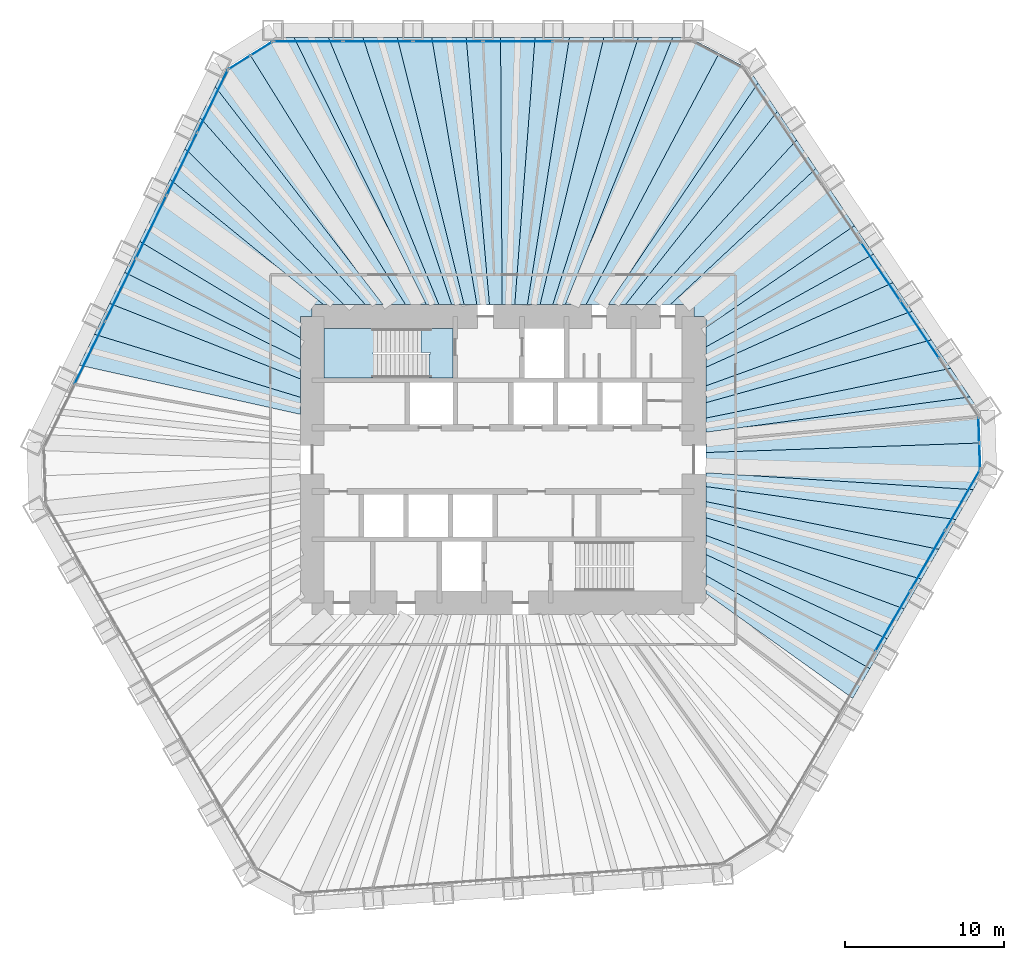
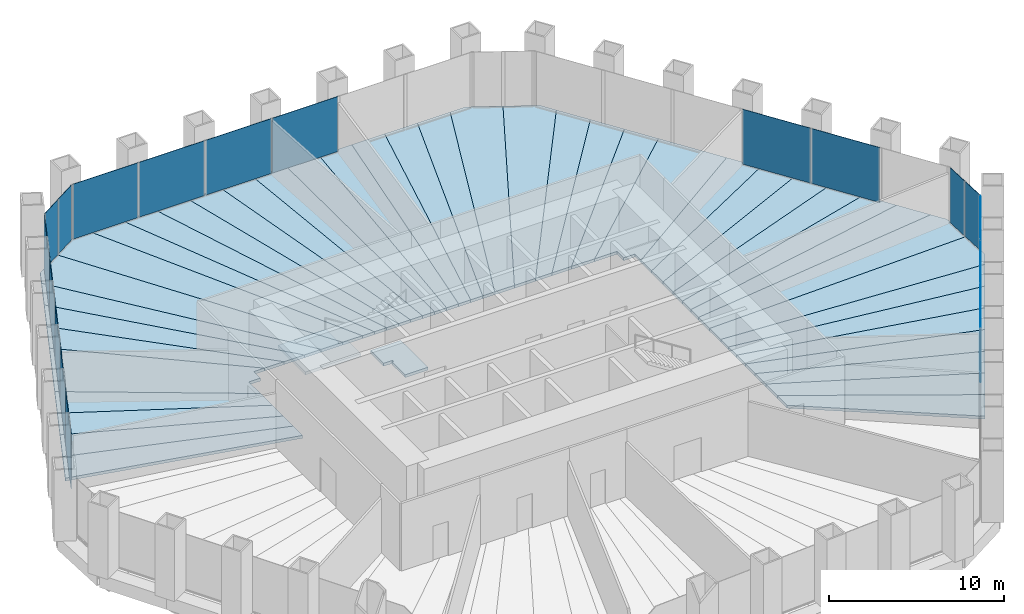
# One storey, part 9 of 13: 44 slabs, 18 plates, 7 elements without a shape of their own.
"""IFC4 building model written with IfcOpenShell, lengths in metres."""

from ifc_helpers import new_model, si_unit, direction, frame, origin, origin_2d, place, context, subcontext, project, spatial, polyline, rectangle, outline, extrude, material, layer, layer_set, type_object, element, aggregate, save


model = new_model("IFC4")

# Units and contexts
model_context = context("Model", 3, precision=1e-05, world=origin(), true_north=direction((0.0, 1.0)))
body_context = subcontext(model_context, "Body", "Model", "MODEL_VIEW")
ifc_project = project(units=[si_unit("LENGTHUNIT", "METRE"), si_unit("AREAUNIT", "SQUARE_METRE"), si_unit("VOLUMEUNIT", "CUBIC_METRE"), si_unit("PLANEANGLEUNIT", "RADIAN"), si_unit("MASSUNIT", "GRAM", prefix="KILO")], contexts=[model_context])

# Site, building, storey
site_placement = place(None, origin())
site = spatial("IfcSite", under=ifc_project, at=site_placement, CompositionType="ELEMENT")
building_placement = place(site_placement, origin())
building = spatial("IfcBuilding", under=site, at=building_placement, Name="Qingtian Harvest Tower", CompositionType="ELEMENT")
storey_placement = place(building_placement, frame((0.0, 0.0, 92.0)))
storey = spatial("IfcBuildingStorey", under=building, at=storey_placement, Name="L18", CompositionType="ELEMENT", Elevation=92.0)

# Slabs
ifc_material_1 = material(Name="Concrete fc' 35 MPa", Category="concrete")
ifc_layer_1 = layer(ifc_material_1, 0.199951171875)
ifc_layer_set_1 = layer_set([ifc_layer_1], Name="Composite floor slab FS20 200")
slab_type_1 = type_object("IfcSlabType", Name="Composite floor slab FS20 200", PredefinedType="FLOOR", material=ifc_layer_set_1)
slab_1_placement = place(storey_placement, frame((0.0, 0.0, -0.199951171875)))
element("IfcSlab", 1, at=slab_1_placement, inside=storey, type_object=slab_type_1, Name="Floor slab L18 panel D32", PredefinedType="FLOOR", context=body_context, shape_type="SweptSolid", body=[
    extrude(outline(polyline([(12.75, -7.279052734375), (23.073974609375, -13.14453125), (21.995849609375, -15.011962890625), (12.75, -8.4091796875), (12.75, -7.279052734375)])), origin(), (0.0, 0.0, 1.0), 0.199951171875),
])
slab_2_placement = place(storey_placement, frame((0.0, 0.0, -0.199951171875)))
element("IfcSlab", 2, at=slab_2_placement, inside=storey, type_object=slab_type_1, Name="Floor slab L18 panel D33", PredefinedType="FLOOR", context=body_context, shape_type="SweptSolid", body=[
    extrude(outline(polyline([(12.75, -5.96142578125), (24.156982421875, -11.268798828125), (23.073974609375, -13.14453125), (12.75, -7.279052734375), (12.75, -5.96142578125)])), origin(), (0.0, 0.0, 1.0), 0.199951171875),
])
slab_3_placement = place(storey_placement, frame((0.0, 0.0, -0.199951171875)))
element("IfcSlab", 3, at=slab_3_placement, inside=storey, type_object=slab_type_1, Name="Floor slab L18 panel D34", PredefinedType="FLOOR", context=body_context, shape_type="SweptSolid", body=[
    extrude(outline(polyline([(12.75, -4.757080078125), (25.239990234375, -9.392822265625), (24.156982421875, -11.268798828125), (12.75, -5.96142578125), (12.75, -4.757080078125)])), origin(), (0.0, 0.0, 1.0), 0.199951171875),
])
slab_4_placement = place(storey_placement, frame((0.0, 0.0, -0.199951171875)))
element("IfcSlab", 4, at=slab_4_placement, inside=storey, type_object=slab_type_1, Name="Floor slab L18 panel D35", PredefinedType="FLOOR", context=body_context, shape_type="SweptSolid", body=[
    extrude(outline(polyline([(12.75, -3.651611328125), (26.322998046875, -7.51708984375), (25.239990234375, -9.392822265625), (12.75, -4.757080078125), (12.75, -3.651611328125)])), origin(), (0.0, 0.0, 1.0), 0.199951171875),
])
slab_5_placement = place(storey_placement, frame((0.0, 0.0, -0.199951171875)))
element("IfcSlab", 5, at=slab_5_placement, inside=storey, type_object=slab_type_1, Name="Floor slab L18 panel D36", PredefinedType="FLOOR", context=body_context, shape_type="SweptSolid", body=[
    extrude(outline(polyline([(12.75, -2.634033203125), (27.40625, -5.64111328125), (26.322998046875, -7.51708984375), (12.75, -3.651611328125), (12.75, -2.634033203125)])), origin(), (0.0, 0.0, 1.0), 0.199951171875),
])
slab_6_placement = place(storey_placement, frame((0.0, 0.0, -0.199951171875)))
element("IfcSlab", 6, at=slab_6_placement, inside=storey, type_object=slab_type_1, Name="Floor slab L18 panel D37", PredefinedType="FLOOR", context=body_context, shape_type="SweptSolid", body=[
    extrude(outline(polyline([(12.75, -1.693603515625), (28.4892578125, -3.765380859375), (27.40625, -5.64111328125), (12.75, -2.634033203125), (12.75, -1.693603515625)])), origin(), (0.0, 0.0, 1.0), 0.199951171875),
])
slab_7_placement = place(storey_placement, frame((0.0, 0.0, -0.199951171875)))
element("IfcSlab", 7, at=slab_7_placement, inside=storey, type_object=slab_type_1, Name="Floor slab L18 panel D38", PredefinedType="FLOOR", context=body_context, shape_type="SweptSolid", body=[
    extrude(outline(polyline([(12.75, -0.822265625), (29.572265625, -1.889404296875), (28.4892578125, -3.765380859375), (12.75, -1.693603515625), (12.75, -0.822265625)])), origin(), (0.0, 0.0, 1.0), 0.199951171875),
])
slab_8_placement = place(storey_placement, frame((0.0, 0.0, -0.199951171875)))
element("IfcSlab", 8, at=slab_8_placement, inside=storey, type_object=slab_type_1, Name="Floor slab L18 panel D39", PredefinedType="FLOOR", context=body_context, shape_type="SweptSolid", body=[
    extrude(outline(polyline([(12.75, -0.822265625), (12.75, 0.447265625), (30.02294921875, 1.048583984375), (30.093994140625, -0.985595703125), (29.572265625, -1.889404296875), (12.75, -0.822265625)])), origin(), (0.0, 0.0, 1.0), 0.199951171875),
])
slab_9_placement = place(storey_placement, frame((0.0, 0.0, -0.199951171875)))
element("IfcSlab", 9, at=slab_9_placement, inside=storey, type_object=slab_type_1, Name="Floor slab L18 panel D40", PredefinedType="FLOOR", context=body_context, shape_type="SweptSolid", body=[
    extrude(outline(polyline([(12.75, 0.447265625), (12.75, 1.72265625), (29.368408203125, 3.94775390625), (29.951904296875, 3.08251953125), (30.02294921875, 1.048583984375), (12.75, 0.447265625)])), origin(), (0.0, 0.0, 1.0), 0.199951171875),
])
slab_10_placement = place(storey_placement, frame((0.0, 0.0, -0.199951171875)))
element("IfcSlab", 10, at=slab_10_placement, inside=storey, type_object=slab_type_1, Name="Floor slab L18 panel D41", PredefinedType="FLOOR", context=body_context, shape_type="SweptSolid", body=[
    extrude(outline(polyline([(12.75, 2.610595703125), (28.156982421875, 5.743408203125), (29.368408203125, 3.94775390625), (12.75, 1.72265625), (12.75, 2.610595703125)])), origin(), (0.0, 0.0, 1.0), 0.199951171875),
])
slab_11_placement = place(storey_placement, frame((0.0, 0.0, -0.199951171875)))
element("IfcSlab", 11, at=slab_11_placement, inside=storey, type_object=slab_type_1, Name="Floor slab L18 panel D42", PredefinedType="FLOOR", context=body_context, shape_type="SweptSolid", body=[
    extrude(outline(polyline([(12.75, 3.57861328125), (26.94580078125, 7.539306640625), (28.156982421875, 5.743408203125), (12.75, 2.610595703125), (12.75, 3.57861328125)])), origin(), (0.0, 0.0, 1.0), 0.199951171875),
])
slab_12_placement = place(storey_placement, frame((0.0, 0.0, -0.199951171875)))
element("IfcSlab", 12, at=slab_12_placement, inside=storey, type_object=slab_type_1, Name="Floor slab L18 panel D43", PredefinedType="FLOOR", context=body_context, shape_type="SweptSolid", body=[
    extrude(outline(polyline([(12.75, 4.6376953125), (25.734619140625, 9.3349609375), (26.94580078125, 7.539306640625), (12.75, 3.57861328125), (12.75, 4.6376953125)])), origin(), (0.0, 0.0, 1.0), 0.199951171875),
])
slab_13_placement = place(storey_placement, frame((0.0, 0.0, -0.199951171875)))
element("IfcSlab", 13, at=slab_13_placement, inside=storey, type_object=slab_type_1, Name="Floor slab L18 panel D44", PredefinedType="FLOOR", context=body_context, shape_type="SweptSolid", body=[
    extrude(outline(polyline([(12.75, 5.8017578125), (24.5234375, 11.130859375), (25.734619140625, 9.3349609375), (12.75, 4.6376953125), (12.75, 5.8017578125)])), origin(), (0.0, 0.0, 1.0), 0.199951171875),
])
slab_14_placement = place(storey_placement, frame((0.0, 0.0, -0.199951171875)))
element("IfcSlab", 14, at=slab_14_placement, inside=storey, type_object=slab_type_1, Name="Floor slab L18 panel D45", PredefinedType="FLOOR", context=body_context, shape_type="SweptSolid", body=[
    extrude(outline(polyline([(12.75, 7.087158203125), (23.31201171875, 12.926513671875), (24.5234375, 11.130859375), (12.75, 5.8017578125), (12.75, 7.087158203125)])), origin(), (0.0, 0.0, 1.0), 0.199951171875),
])
slab_15_placement = place(storey_placement, frame((0.0, 0.0, -0.199951171875)))
element("IfcSlab", 15, at=slab_15_placement, inside=storey, type_object=slab_type_1, Name="Floor slab L18 panel D46", PredefinedType="FLOOR", context=body_context, shape_type="SweptSolid", body=[
    extrude(outline(polyline([(12.75, 8.30615234375), (22.1044921875, 14.716796875), (23.31201171875, 12.926513671875), (12.75, 7.087158203125), (12.75, 8.30615234375)])), origin(), (0.0, 0.0, 1.0), 0.199951171875),
])
slab_16_placement = place(storey_placement, frame((0.0, 0.0, -0.199951171875)))
element("IfcSlab", 16, at=slab_16_placement, inside=storey, type_object=slab_type_1, Name="Floor slab L18 panel D48", PredefinedType="FLOOR", context=body_context, shape_type="SweptSolid", body=[
    extrude(outline(polyline([(19.67919921875, 18.312255859375), (22.1044921875, 14.716796875), (12.75, 8.30615234375), (12.75, 9.0), (12.0, 9.0), (12.0, 9.75), (10.51806640625, 9.75), (19.67919921875, 18.312255859375)])), origin(), (0.0, 0.0, 1.0), 0.199951171875),
])
slab_17_placement = place(storey_placement, frame((0.0, 0.0, -0.199951171875)))
element("IfcSlab", 17, at=slab_17_placement, inside=storey, type_object=slab_type_1, Name="Floor slab L18 panel D49", PredefinedType="FLOOR", context=body_context, shape_type="SweptSolid", body=[
    extrude(outline(polyline([(8.985107421875, 9.75), (18.468017578125, 20.108154296875), (19.67919921875, 18.312255859375), (10.51806640625, 9.75), (8.985107421875, 9.75)])), origin(), (0.0, 0.0, 1.0), 0.199951171875),
])
slab_18_placement = place(storey_placement, frame((0.0, 0.0, -0.199951171875)))
element("IfcSlab", 18, at=slab_18_placement, inside=storey, type_object=slab_type_1, Name="Floor slab L18 panel D50", PredefinedType="FLOOR", context=body_context, shape_type="SweptSolid", body=[
    extrude(outline(polyline([(7.705078125, 9.75), (17.256591796875, 21.904052734375), (18.468017578125, 20.108154296875), (8.985107421875, 9.75), (7.705078125, 9.75)])), origin(), (0.0, 0.0, 1.0), 0.199951171875),
])
slab_19_placement = place(storey_placement, frame((0.0, 0.0, -0.199951171875)))
element("IfcSlab", 19, at=slab_19_placement, inside=storey, type_object=slab_type_1, Name="Floor slab L18 panel D51", PredefinedType="FLOOR", context=body_context, shape_type="SweptSolid", body=[
    extrude(outline(polyline([(6.61962890625, 9.75), (16.04541015625, 23.699951171875), (17.256591796875, 21.904052734375), (7.705078125, 9.75), (6.61962890625, 9.75)])), origin(), (0.0, 0.0, 1.0), 0.199951171875),
])
slab_20_placement = place(storey_placement, frame((0.0, 0.0, -0.199951171875)))
element("IfcSlab", 20, at=slab_20_placement, inside=storey, type_object=slab_type_1, Name="Floor slab L18 panel D52", PredefinedType="FLOOR", context=body_context, shape_type="SweptSolid", body=[
    extrude(outline(polyline([(6.61962890625, 9.75), (5.21875, 9.75), (13.59130859375, 25.559814453125), (15.461669921875, 24.5654296875), (16.04541015625, 23.699951171875), (6.61962890625, 9.75)])), origin(), (0.0, 0.0, 1.0), 0.199951171875),
])
slab_21_placement = place(storey_placement, frame((0.0, 0.0, -0.199951171875)))
element("IfcSlab", 21, at=slab_21_placement, inside=storey, type_object=slab_type_1, Name="Floor slab L18 panel D53", PredefinedType="FLOOR", context=body_context, shape_type="SweptSolid", body=[
    extrude(outline(polyline([(3.919921875, 9.75), (10.676025390625, 26.554931640625), (11.719482421875, 26.554931640625), (13.59130859375, 25.559814453125), (5.21875, 9.75), (3.919921875, 9.75)])), origin(), (0.0, 0.0, 1.0), 0.199951171875),
])
slab_22_placement = place(storey_placement, frame((0.0, 0.0, -0.199951171875)))
element("IfcSlab", 22, at=slab_22_placement, inside=storey, type_object=slab_type_1, Name="Floor slab L18 panel D54", PredefinedType="FLOOR", context=body_context, shape_type="SweptSolid", body=[
    extrude(outline(polyline([(3.12451171875, 9.75), (8.510009765625, 26.554931640625), (10.676025390625, 26.554931640625), (3.919921875, 9.75), (3.12451171875, 9.75)])), origin(), (0.0, 0.0, 1.0), 0.199951171875),
])
slab_23_placement = place(storey_placement, frame((0.0, 0.0, -0.199951171875)))
element("IfcSlab", 23, at=slab_23_placement, inside=storey, type_object=slab_type_1, Name="Floor slab L18 panel D55", PredefinedType="FLOOR", context=body_context, shape_type="SweptSolid", body=[
    extrude(outline(polyline([(2.329345703125, 9.75), (6.343994140625, 26.554931640625), (8.510009765625, 26.554931640625), (3.12451171875, 9.75), (2.329345703125, 9.75)])), origin(), (0.0, 0.0, 1.0), 0.199951171875),
])
slab_24_placement = place(storey_placement, frame((0.0, 0.0, -0.199951171875)))
element("IfcSlab", 24, at=slab_24_placement, inside=storey, type_object=slab_type_1, Name="Floor slab L18 panel D56", PredefinedType="FLOOR", context=body_context, shape_type="SweptSolid", body=[
    extrude(outline(polyline([(1.533935546875, 9.75), (4.177978515625, 26.554931640625), (6.343994140625, 26.554931640625), (2.329345703125, 9.75), (1.533935546875, 9.75)])), origin(), (0.0, 0.0, 1.0), 0.199951171875),
])
slab_25_placement = place(storey_placement, frame((0.0, 0.0, -0.199951171875)))
element("IfcSlab", 25, at=slab_25_placement, inside=storey, type_object=slab_type_1, Name="Floor slab L18 panel D57", PredefinedType="FLOOR", context=body_context, shape_type="SweptSolid", body=[
    extrude(outline(polyline([(0.73876953125, 9.75), (2.011962890625, 26.554931640625), (4.177978515625, 26.554931640625), (1.533935546875, 9.75), (0.73876953125, 9.75)])), origin(), (0.0, 0.0, 1.0), 0.199951171875),
])
slab_26_placement = place(storey_placement, frame((0.0, 0.0, -0.199951171875)))
element("IfcSlab", 26, at=slab_26_placement, inside=storey, type_object=slab_type_1, Name="Floor slab L18 panel D58", PredefinedType="FLOOR", context=body_context, shape_type="SweptSolid", body=[
    extrude(outline(polyline([(-0.056396484375, 9.75), (-0.15380859375, 26.554931640625), (2.011962890625, 26.554931640625), (0.73876953125, 9.75), (-0.056396484375, 9.75)])), origin(), (0.0, 0.0, 1.0), 0.199951171875),
])
slab_27_placement = place(storey_placement, frame((0.0, 0.0, -0.199951171875)))
element("IfcSlab", 27, at=slab_27_placement, inside=storey, type_object=slab_type_1, Name="Floor slab L18 panel D59", PredefinedType="FLOOR", context=body_context, shape_type="SweptSolid", body=[
    extrude(outline(polyline([(-0.851806640625, 9.75), (-2.31982421875, 26.554931640625), (-0.15380859375, 26.554931640625), (-0.056396484375, 9.75), (-0.851806640625, 9.75)])), origin(), (0.0, 0.0, 1.0), 0.199951171875),
])
slab_28_placement = place(storey_placement, frame((0.0, 0.0, -0.199951171875)))
element("IfcSlab", 28, at=slab_28_placement, inside=storey, type_object=slab_type_1, Name="Floor slab L18 panel D60", PredefinedType="FLOOR", context=body_context, shape_type="SweptSolid", body=[
    extrude(outline(polyline([(-1.64697265625, 9.75), (-4.48583984375, 26.554931640625), (-2.31982421875, 26.554931640625), (-0.851806640625, 9.75), (-1.64697265625, 9.75)])), origin(), (0.0, 0.0, 1.0), 0.199951171875),
])
slab_29_placement = place(storey_placement, frame((0.0, 0.0, -0.199951171875)))
element("IfcSlab", 29, at=slab_29_placement, inside=storey, type_object=slab_type_1, Name="Floor slab L18 panel D61", PredefinedType="FLOOR", context=body_context, shape_type="SweptSolid", body=[
    extrude(outline(polyline([(-2.4423828125, 9.75), (-6.65185546875, 26.554931640625), (-4.48583984375, 26.554931640625), (-1.64697265625, 9.75), (-2.4423828125, 9.75)])), origin(), (0.0, 0.0, 1.0), 0.199951171875),
])
slab_30_placement = place(storey_placement, frame((0.0, 0.0, -0.199951171875)))
element("IfcSlab", 30, at=slab_30_placement, inside=storey, type_object=slab_type_1, Name="Floor slab L18 panel D62", PredefinedType="FLOOR", context=body_context, shape_type="SweptSolid", body=[
    extrude(outline(polyline([(-3.237548828125, 9.75), (-8.81787109375, 26.554931640625), (-6.65185546875, 26.554931640625), (-2.4423828125, 9.75), (-3.237548828125, 9.75)])), origin(), (0.0, 0.0, 1.0), 0.199951171875),
])
slab_31_placement = place(storey_placement, frame((0.0, 0.0, -0.199951171875)))
element("IfcSlab", 31, at=slab_31_placement, inside=storey, type_object=slab_type_1, Name="Floor slab L18 panel D63", PredefinedType="FLOOR", context=body_context, shape_type="SweptSolid", body=[
    extrude(outline(polyline([(-4.032958984375, 9.75), (-10.98388671875, 26.554931640625), (-8.81787109375, 26.554931640625), (-3.237548828125, 9.75), (-4.032958984375, 9.75)])), origin(), (0.0, 0.0, 1.0), 0.199951171875),
])
slab_32_placement = place(storey_placement, frame((0.0, 0.0, -0.199951171875)))
element("IfcSlab", 32, at=slab_32_placement, inside=storey, type_object=slab_type_1, Name="Floor slab L18 panel D64", PredefinedType="FLOOR", context=body_context, shape_type="SweptSolid", body=[
    extrude(outline(polyline([(-4.828125, 9.75), (-13.14990234375, 26.554931640625), (-10.98388671875, 26.554931640625), (-4.032958984375, 9.75), (-4.828125, 9.75)])), origin(), (0.0, 0.0, 1.0), 0.199951171875),
])
slab_33_placement = place(storey_placement, frame((0.0, 0.0, -0.199951171875)))
element("IfcSlab", 33, at=slab_33_placement, inside=storey, type_object=slab_type_1, Name="Floor slab L18 panel D65", PredefinedType="FLOOR", context=body_context, shape_type="SweptSolid", body=[
    extrude(outline(polyline([(-4.828125, 9.75), (-6.130126953125, 9.75), (-15.920166015625, 25.47607421875), (-14.193359375, 26.554931640625), (-13.14990234375, 26.554931640625), (-4.828125, 9.75)])), origin(), (0.0, 0.0, 1.0), 0.199951171875),
])
slab_34_placement = place(storey_placement, frame((0.0, 0.0, -0.199951171875)))
element("IfcSlab", 34, at=slab_34_placement, inside=storey, type_object=slab_type_1, Name="Floor slab L18 panel D66", PredefinedType="FLOOR", context=body_context, shape_type="SweptSolid", body=[
    extrude(outline(polyline([(-6.130126953125, 9.75), (-7.544677734375, 9.75), (-18.10302734375, 23.45947265625), (-17.6455078125, 24.39794921875), (-15.920166015625, 25.47607421875), (-6.130126953125, 9.75)])), origin(), (0.0, 0.0, 1.0), 0.199951171875),
])
slab_35_placement = place(storey_placement, frame((0.0, 0.0, -0.199951171875)))
element("IfcSlab", 35, at=slab_35_placement, inside=storey, type_object=slab_type_1, Name="Floor slab L18 panel D67", PredefinedType="FLOOR", context=body_context, shape_type="SweptSolid", body=[
    extrude(outline(polyline([(-8.662109375, 9.75), (-19.052734375, 21.5126953125), (-18.10302734375, 23.45947265625), (-7.544677734375, 9.75), (-8.662109375, 9.75)])), origin(), (0.0, 0.0, 1.0), 0.199951171875),
])
slab_36_placement = place(storey_placement, frame((0.0, 0.0, -0.199951171875)))
element("IfcSlab", 36, at=slab_36_placement, inside=storey, type_object=slab_type_1, Name="Floor slab L18 panel D68", PredefinedType="FLOOR", context=body_context, shape_type="SweptSolid", body=[
    extrude(outline(polyline([(-10.00341796875, 9.75), (-20.00244140625, 19.565673828125), (-19.052734375, 21.5126953125), (-8.662109375, 9.75), (-10.00341796875, 9.75)])), origin(), (0.0, 0.0, 1.0), 0.199951171875),
])
slab_37_placement = place(storey_placement, frame((0.0, 0.0, -0.199951171875)))
element("IfcSlab", 37, at=slab_37_placement, inside=storey, type_object=slab_type_1, Name="Floor slab L18 panel D69", PredefinedType="FLOOR", context=body_context, shape_type="SweptSolid", body=[
    extrude(outline(polyline([(-11.2939453125, 9.75), (-20.948486328125, 17.6259765625), (-20.00244140625, 19.565673828125), (-10.00341796875, 9.75), (-11.2939453125, 9.75)])), origin(), (0.0, 0.0, 1.0), 0.199951171875),
])
slab_38_placement = place(storey_placement, frame((0.0, 0.0, -0.199951171875)))
element("IfcSlab", 38, at=slab_38_placement, inside=storey, type_object=slab_type_1, Name="Floor slab L18 panel D70", PredefinedType="FLOOR", context=body_context, shape_type="SweptSolid", body=[
    extrude(outline(polyline([(-12.0, 9.0), (-12.75, 9.0), (-12.75, 7.67333984375), (-22.850341796875, 13.7265625), (-20.948486328125, 17.6259765625), (-11.2939453125, 9.75), (-12.0, 9.75), (-12.0, 9.0)])), origin(), (0.0, 0.0, 1.0), 0.199951171875),
])
slab_39_placement = place(storey_placement, frame((0.0, 0.0, -0.199951171875)))
element("IfcSlab", 39, at=slab_39_placement, inside=storey, type_object=slab_type_1, Name="Floor slab L18 panel D72", PredefinedType="FLOOR", context=body_context, shape_type="SweptSolid", body=[
    extrude(outline(polyline([(-12.75, 6.3232421875), (-23.7998046875, 11.779541015625), (-22.850341796875, 13.7265625), (-12.75, 7.67333984375), (-12.75, 6.3232421875)])), origin(), (0.0, 0.0, 1.0), 0.199951171875),
])
slab_40_placement = place(storey_placement, frame((0.0, 0.0, -0.199951171875)))
element("IfcSlab", 40, at=slab_40_placement, inside=storey, type_object=slab_type_1, Name="Floor slab L18 panel D73", PredefinedType="FLOOR", context=body_context, shape_type="SweptSolid", body=[
    extrude(outline(polyline([(-12.75, 5.076904296875), (-24.749267578125, 9.832763671875), (-23.7998046875, 11.779541015625), (-12.75, 6.3232421875), (-12.75, 5.076904296875)])), origin(), (0.0, 0.0, 1.0), 0.199951171875),
])
slab_41_placement = place(storey_placement, frame((0.0, 0.0, -0.199951171875)))
element("IfcSlab", 41, at=slab_41_placement, inside=storey, type_object=slab_type_1, Name="Floor slab L18 panel D74", PredefinedType="FLOOR", context=body_context, shape_type="SweptSolid", body=[
    extrude(outline(polyline([(-12.75, 3.922607421875), (-25.698974609375, 7.885986328125), (-24.749267578125, 9.832763671875), (-12.75, 5.076904296875), (-12.75, 3.922607421875)])), origin(), (0.0, 0.0, 1.0), 0.199951171875),
])
slab_42_placement = place(storey_placement, frame((0.0, 0.0, -0.199951171875)))
element("IfcSlab", 42, at=slab_42_placement, inside=storey, type_object=slab_type_1, Name="Floor slab L18 panel D75", PredefinedType="FLOOR", context=body_context, shape_type="SweptSolid", body=[
    extrude(outline(polyline([(-12.75, 2.8505859375), (-26.6484375, 5.939208984375), (-25.698974609375, 7.885986328125), (-12.75, 3.922607421875), (-12.75, 2.8505859375)])), origin(), (0.0, 0.0, 1.0), 0.199951171875),
])

# Curtain wall, plates
ifc_material_2 = material(Name="Bronze-anodised aluminium curtain wall", Category="aluminium")
curtain_wall_type = type_object("IfcCurtainWallType", Name="Curtain wall CW2 farm reception", PredefinedType="USERDEFINED", material=ifc_material_2)
curtain_wall_1_placement = place(storey_placement, origin())
curtain_wall_1 = element("IfcCurtainWall", 43, at=curtain_wall_1_placement, inside=storey, type_object=curtain_wall_type, Name="Curtain wall CW2 L18 N0-5", ObjectType="RECESSED CURTAIN WALL", PredefinedType="USERDEFINED")
ifc_material_3 = material(Name="Bronze-tinted laminated insulating glass", Category="glass")
ifc_layer_2 = layer(ifc_material_3, 0.030029296875)
ifc_layer_set_2 = layer_set([ifc_layer_2], Name="Glazed panel CWP tinted IGU")
plate_type = type_object("IfcPlateType", Name="Glazed panel CWP tinted IGU", PredefinedType="CURTAIN_PANEL", material=ifc_layer_set_2)
plate_1_placement = place(storey_placement, frame((-12.2529296875, 26.300048828125, 0.06494140625), z_axis=(0.0, 0.0, 1.0), x_axis=(1.0, 0.0, 0.0)))
plate_1 = element("IfcPlate", 44, at=plate_1_placement, type_object=plate_type, Name="CW2 panel 1.1", PredefinedType="CURTAIN_PANEL", context=body_context, shape_type="SweptSolid", body=[
    extrude(rectangle(XDim=4.30712890625, YDim=0.030029296875, at=origin_2d()), origin(), (0.0, 0.0, 1.0), 3.8349609375),
])
plate_2_placement = place(storey_placement, frame((-7.864501953125, 26.300048828125, 0.06494140625), z_axis=(0.0, 0.0, 1.0), x_axis=(1.0, 0.0, 0.0)))
plate_2 = element("IfcPlate", 45, at=plate_2_placement, type_object=plate_type, Name="CW2 panel 2.1", PredefinedType="CURTAIN_PANEL", context=body_context, shape_type="SweptSolid", body=[
    extrude(rectangle(XDim=4.339599609375, YDim=0.030029296875, at=origin_2d()), origin(), (0.0, 0.0, 1.0), 3.8349609375),
])
plate_3_placement = place(storey_placement, frame((-3.4599609375, 26.300048828125, 0.06494140625), z_axis=(0.0, 0.0, 1.0), x_axis=(1.0, 0.0, 0.0)))
plate_3 = element("IfcPlate", 46, at=plate_3_placement, type_object=plate_type, Name="CW2 panel 3.1", PredefinedType="CURTAIN_PANEL", context=body_context, shape_type="SweptSolid", body=[
    extrude(rectangle(XDim=4.339599609375, YDim=0.030029296875, at=origin_2d()), origin(), (0.0, 0.0, 1.0), 3.8349609375),
])
plate_4_placement = place(storey_placement, frame((0.944580078125, 26.300048828125, 0.06494140625), z_axis=(0.0, 0.0, 1.0), x_axis=(1.0, 0.0, 0.0)))
plate_4 = element("IfcPlate", 47, at=plate_4_placement, type_object=plate_type, Name="CW2 panel 4.1", PredefinedType="CURTAIN_PANEL", context=body_context, shape_type="SweptSolid", body=[
    extrude(rectangle(XDim=4.339599609375, YDim=0.030029296875, at=origin_2d()), origin(), (0.0, 0.0, 1.0), 3.8349609375),
])
aggregate(curtain_wall_1, [plate_1, plate_2, plate_3, plate_4])

curtain_wall_2_placement = place(storey_placement, origin())
curtain_wall_2 = element("IfcCurtainWall", 48, at=curtain_wall_2_placement, inside=storey, type_object=curtain_wall_type, Name="Curtain wall CW2 L18 NE0-5", ObjectType="RECESSED CURTAIN WALL", PredefinedType="USERDEFINED")
plate_5_placement = place(storey_placement, frame((23.738525390625, 11.83837890625, 0.06494140625), z_axis=(0.0, 0.0, 1.0), x_axis=(0.559192903471, -0.829037572555, 0.0)))
plate_5 = element("IfcPlate", 49, at=plate_5_placement, type_object=plate_type, Name="CW2 panel 4.1", PredefinedType="CURTAIN_PANEL", context=body_context, shape_type="SweptSolid", body=[
    extrude(rectangle(XDim=4.339599609375, YDim=0.030029296875, at=origin_2d()), origin(), (0.0, 0.0, 1.0), 3.8349609375),
])
plate_6_placement = place(storey_placement, frame((26.201416015625, 8.186767578125, 0.06494140625), z_axis=(0.0, 0.0, 1.0), x_axis=(0.559192903471, -0.829037572555, 0.0)))
plate_6 = element("IfcPlate", 50, at=plate_6_placement, type_object=plate_type, Name="CW2 panel 5.1", PredefinedType="CURTAIN_PANEL", context=body_context, shape_type="SweptSolid", body=[
    extrude(rectangle(XDim=4.339599609375, YDim=0.030029296875, at=origin_2d()), origin(), (0.0, 0.0, 1.0), 3.8349609375),
])
aggregate(curtain_wall_2, [plate_5, plate_6])

curtain_wall_3_placement = place(storey_placement, origin())
curtain_wall_3 = element("IfcCurtainWall", 51, at=curtain_wall_3_placement, inside=storey, type_object=curtain_wall_type, Name="Curtain wall CW2 L18 NEC", ObjectType="RECESSED CURTAIN WALL", PredefinedType="USERDEFINED")
plate_7_placement = place(storey_placement, frame((29.925537109375, 1.861572265625, 0.06494140625), z_axis=(0.0, 0.0, 1.0), x_axis=(0.034899496703, -0.999390827019, 0.0)))
plate_7 = element("IfcPlate", 52, at=plate_7_placement, type_object=plate_type, Name="CW2 panel 1.1", PredefinedType="CURTAIN_PANEL", context=body_context, shape_type="SweptSolid", body=[
    extrude(rectangle(XDim=1.56689453125, YDim=0.030029296875, at=origin_2d()), origin(), (0.0, 0.0, 1.0), 3.8349609375),
])
plate_8_placement = place(storey_placement, frame((29.982666015625, 0.23046875, 0.06494140625), z_axis=(0.0, 0.0, 1.0), x_axis=(0.034899496703, -0.999390827019, 0.0)))
plate_8 = element("IfcPlate", 53, at=plate_8_placement, type_object=plate_type, Name="CW2 panel 2.1", PredefinedType="CURTAIN_PANEL", context=body_context, shape_type="SweptSolid", body=[
    extrude(rectangle(XDim=1.56689453125, YDim=0.030029296875, at=origin_2d()), origin(), (0.0, 0.0, 1.0), 3.8349609375),
])
aggregate(curtain_wall_3, [plate_7, plate_8])

curtain_wall_4_placement = place(storey_placement, origin())
curtain_wall_4 = element("IfcCurtainWall", 54, at=curtain_wall_4_placement, inside=storey, type_object=curtain_wall_type, Name="Curtain wall CW2 L18 SE0-5", ObjectType="RECESSED CURTAIN WALL", PredefinedType="USERDEFINED")
plate_9_placement = place(storey_placement, frame((28.90283203125, -2.53857421875, 0.06494140625), z_axis=(0.0, 0.0, 1.0), x_axis=(-0.5, -0.866025403784, 0.0)))
plate_9 = element("IfcPlate", 55, at=plate_9_placement, type_object=plate_type, Name="CW2 panel 1.1", PredefinedType="CURTAIN_PANEL", context=body_context, shape_type="SweptSolid", body=[
    extrude(rectangle(XDim=4.30712890625, YDim=0.030029296875, at=origin_2d()), origin(), (0.0, 0.0, 1.0), 3.8349609375),
])
plate_10_placement = place(storey_placement, frame((26.708740234375, -6.339111328125, 0.06494140625), z_axis=(0.0, 0.0, 1.0), x_axis=(-0.5, -0.866025403784, 0.0)))
plate_10 = element("IfcPlate", 56, at=plate_10_placement, type_object=plate_type, Name="CW2 panel 2.1", PredefinedType="CURTAIN_PANEL", context=body_context, shape_type="SweptSolid", body=[
    extrude(rectangle(XDim=4.339599609375, YDim=0.030029296875, at=origin_2d()), origin(), (0.0, 0.0, 1.0), 3.8349609375),
])
plate_11_placement = place(storey_placement, frame((24.50634765625, -10.153564453125, 0.06494140625), z_axis=(0.0, 0.0, 1.0), x_axis=(-0.5, -0.866025403784, 0.0)))
plate_11 = element("IfcPlate", 57, at=plate_11_placement, type_object=plate_type, Name="CW2 panel 3.1", PredefinedType="CURTAIN_PANEL", context=body_context, shape_type="SweptSolid", body=[
    extrude(rectangle(XDim=4.339599609375, YDim=0.030029296875, at=origin_2d()), origin(), (0.0, 0.0, 1.0), 3.8349609375),
])
aggregate(curtain_wall_4, [plate_9, plate_10, plate_11])

curtain_wall_5_placement = place(storey_placement, origin())
curtain_wall_5 = element("IfcCurtainWall", 58, at=curtain_wall_5_placement, inside=storey, type_object=curtain_wall_type, Name="Curtain wall CW2 L18 NW0-5", ObjectType="RECESSED CURTAIN WALL", PredefinedType="USERDEFINED")
plate_12_placement = place(storey_placement, frame((-25.983154296875, 6.72119140625, 0.06494140625), z_axis=(0.0, 0.0, 1.0), x_axis=(0.438371146789, 0.898794046299, 0.0)))
plate_12 = element("IfcPlate", 59, at=plate_12_placement, type_object=plate_type, Name="CW2 panel 2.1", PredefinedType="CURTAIN_PANEL", context=body_context, shape_type="SweptSolid", body=[
    extrude(rectangle(XDim=4.339599609375, YDim=0.030029296875, at=origin_2d()), origin(), (0.0, 0.0, 1.0), 3.8349609375),
])
plate_13_placement = place(storey_placement, frame((-24.052490234375, 10.68017578125, 0.06494140625), z_axis=(0.0, 0.0, 1.0), x_axis=(0.438371146789, 0.898794046299, 0.0)))
plate_13 = element("IfcPlate", 60, at=plate_13_placement, type_object=plate_type, Name="CW2 panel 3.1", PredefinedType="CURTAIN_PANEL", context=body_context, shape_type="SweptSolid", body=[
    extrude(rectangle(XDim=4.339599609375, YDim=0.030029296875, at=origin_2d()), origin(), (0.0, 0.0, 1.0), 3.8349609375),
])
plate_14_placement = place(storey_placement, frame((-22.12158203125, 14.638916015625, 0.06494140625), z_axis=(0.0, 0.0, 1.0), x_axis=(0.438371146789, 0.898794046299, 0.0)))
plate_14 = element("IfcPlate", 61, at=plate_14_placement, type_object=plate_type, Name="CW2 panel 4.1", PredefinedType="CURTAIN_PANEL", context=body_context, shape_type="SweptSolid", body=[
    extrude(rectangle(XDim=4.339599609375, YDim=0.030029296875, at=origin_2d()), origin(), (0.0, 0.0, 1.0), 3.8349609375),
])
plate_15_placement = place(storey_placement, frame((-20.190673828125, 18.597900390625, 0.06494140625), z_axis=(0.0, 0.0, 1.0), x_axis=(0.438371146789, 0.898794046299, 0.0)))
plate_15 = element("IfcPlate", 62, at=plate_15_placement, type_object=plate_type, Name="CW2 panel 5.1", PredefinedType="CURTAIN_PANEL", context=body_context, shape_type="SweptSolid", body=[
    extrude(rectangle(XDim=4.339599609375, YDim=0.030029296875, at=origin_2d()), origin(), (0.0, 0.0, 1.0), 3.8349609375),
])
plate_16_placement = place(storey_placement, frame((-18.266845703125, 22.5419921875, 0.06494140625), z_axis=(0.0, 0.0, 1.0), x_axis=(0.438371146789, 0.898794046299, 0.0)))
plate_16 = element("IfcPlate", 63, at=plate_16_placement, type_object=plate_type, Name="CW2 panel 6.1", PredefinedType="CURTAIN_PANEL", context=body_context, shape_type="SweptSolid", body=[
    extrude(rectangle(XDim=4.30712890625, YDim=0.030029296875, at=origin_2d()), origin(), (0.0, 0.0, 1.0), 3.8349609375),
])
aggregate(curtain_wall_5, [plate_12, plate_13, plate_14, plate_15, plate_16])

curtain_wall_6_placement = place(storey_placement, origin())
curtain_wall_6 = element("IfcCurtainWall", 64, at=curtain_wall_6_placement, inside=storey, type_object=curtain_wall_type, Name="Curtain wall CW2 L18 NWC", ObjectType="RECESSED CURTAIN WALL", PredefinedType="USERDEFINED")
plate_17_placement = place(storey_placement, frame((-16.574951171875, 24.985595703125, 0.06494140625), z_axis=(0.0, 0.0, 1.0), x_axis=(0.848048096156, 0.529919264233, 0.0)))
plate_17 = element("IfcPlate", 65, at=plate_17_placement, type_object=plate_type, Name="CW2 panel 1.1", PredefinedType="CURTAIN_PANEL", context=body_context, shape_type="SweptSolid", body=[
    extrude(rectangle(XDim=1.56689453125, YDim=0.030029296875, at=origin_2d()), origin(), (0.0, 0.0, 1.0), 3.8349609375),
])
plate_18_placement = place(storey_placement, frame((-15.19091796875, 25.850341796875, 0.06494140625), z_axis=(0.0, 0.0, 1.0), x_axis=(0.848048096156, 0.529919264233, 0.0)))
plate_18 = element("IfcPlate", 66, at=plate_18_placement, type_object=plate_type, Name="CW2 panel 2.1", PredefinedType="CURTAIN_PANEL", context=body_context, shape_type="SweptSolid", body=[
    extrude(rectangle(XDim=1.56689453125, YDim=0.030029296875, at=origin_2d()), origin(), (0.0, 0.0, 1.0), 3.8349609375),
])
aggregate(curtain_wall_6, [plate_17, plate_18])

# Stair, slabs
ifc_material_4 = material(Name="Concrete fc' 35 MPa", Category="concrete")
stair_type = type_object("IfcStairType", Name="Special stair ST2 5000", PredefinedType="HALF_TURN_STAIR", material=ifc_material_4)
stair_placement = place(storey_placement, origin())
stair = element("IfcStair", 67, at=stair_placement, inside=storey, type_object=stair_type, Name="Special stair S1 L18", PredefinedType="HALF_TURN_STAIR")
ifc_material_5 = material(Name="Concrete fc' 35 MPa", Category="concrete")
ifc_layer_3 = layer(ifc_material_5, 0.199951171875)
ifc_layer_set_3 = layer_set([ifc_layer_3], Name="Stair landing SL2 200")
slab_type_2 = type_object("IfcSlabType", Name="Stair landing SL2 200", PredefinedType="LANDING", material=ifc_layer_set_3)
slab_43_placement = place(storey_placement, frame((0.0, 0.0, -0.199951171875)))
slab_43 = element("IfcSlab", 68, at=slab_43_placement, type_object=slab_type_2, Name="S1 landing 1", PredefinedType="LANDING", context=body_context, shape_type="SweptSolid", body=[
    extrude(outline(polyline([(-4.64990234375, 5.14990234375), (-4.64990234375, 6.64990234375), (-4.550048828125, 6.64990234375), (-4.550048828125, 6.75), (-5.155029296875, 6.75), (-5.155029296875, 8.25), (-3.14990234375, 8.25), (-3.14990234375, 5.14990234375), (-4.64990234375, 5.14990234375)])), origin(), (0.0, 0.0, 1.0), 0.199951171875),
])
slab_44_placement = place(storey_placement, frame((0.0, 0.0, 2.300048828125)))
slab_44 = element("IfcSlab", 69, at=slab_44_placement, type_object=slab_type_2, Name="S1 landing 2", PredefinedType="LANDING", context=body_context, shape_type="SweptSolid", body=[
    extrude(outline(polyline([(-7.5849609375, 5.14990234375), (-11.25, 5.14990234375), (-11.25, 8.25), (-8.090087890625, 8.25), (-8.090087890625, 6.75), (-8.18994140625, 6.75), (-8.18994140625, 6.64990234375), (-7.5849609375, 6.64990234375), (-7.5849609375, 5.14990234375)])), origin(), (0.0, 0.0, 1.0), 0.199951171875),
])
aggregate(stair, [slab_43, slab_44])

save(model, "model.ifc")
